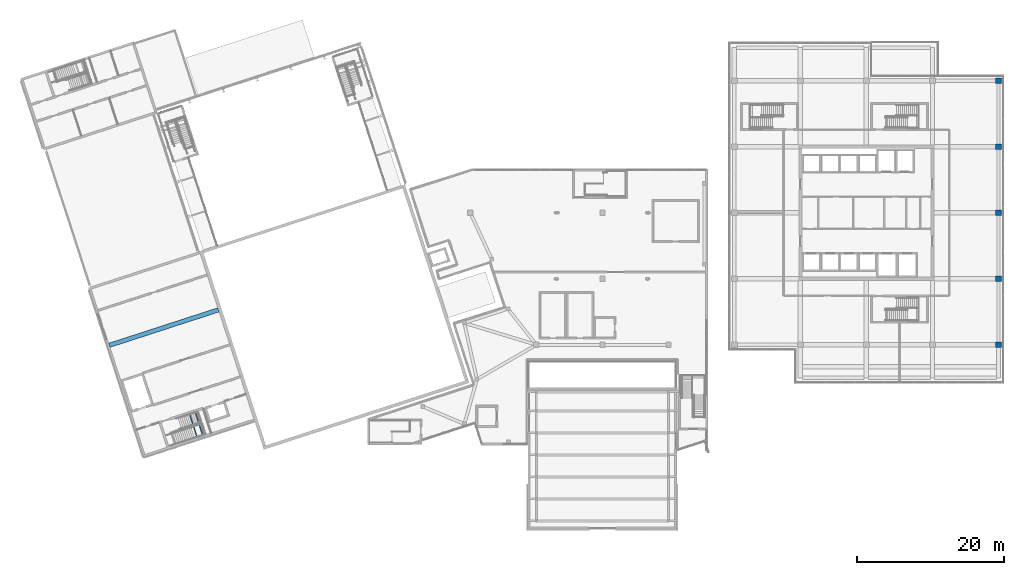
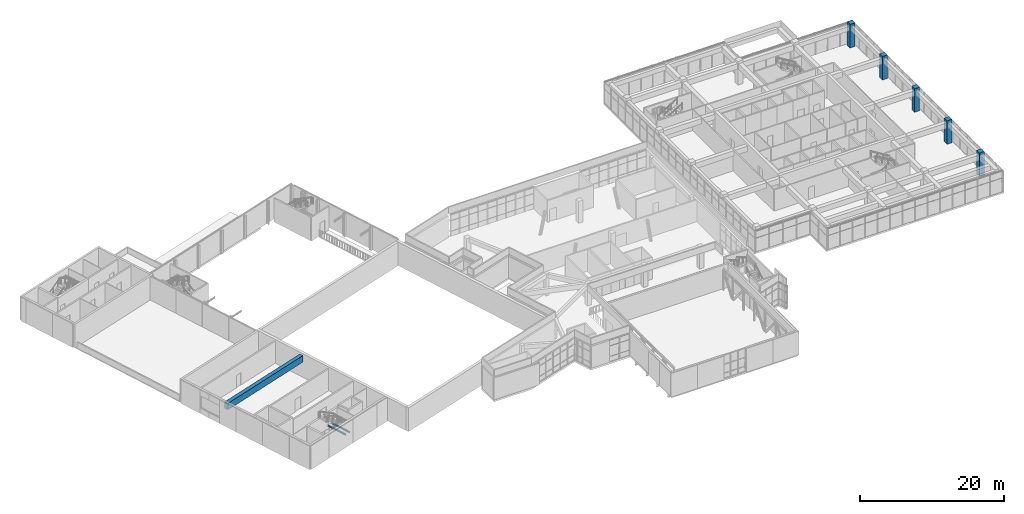
# One storey, part 5 of 72: 5 columns, 3 beams.
"""IFC4 building model written with IfcOpenShell, lengths in metres."""

from ifc_helpers import new_model, si_unit, direction, frame, origin, origin_2d, place, context, subcontext, project, spatial, rectangle, i_section, extrude, material, material_profile, profile_set, type_object, element, save


model = new_model("IFC4")

# Units and contexts
model_context = context("Model", 3, precision=1e-05, world=origin(), true_north=direction((0.0, 1.0)))
body_context = subcontext(model_context, "Body", "Model", "MODEL_VIEW")
ifc_project = project(units=[si_unit("LENGTHUNIT", "METRE"), si_unit("AREAUNIT", "SQUARE_METRE"), si_unit("VOLUMEUNIT", "CUBIC_METRE"), si_unit("PLANEANGLEUNIT", "RADIAN"), si_unit("MASSUNIT", "GRAM", prefix="KILO")], contexts=[model_context])

# Site, building, storey
site_placement = place(None, origin())
site = spatial("IfcSite", under=ifc_project, at=site_placement, CompositionType="ELEMENT")
building_placement = place(site_placement, origin())
building = spatial("IfcBuilding", under=site, at=building_placement, Name="Tuart Plaza Theatre", CompositionType="ELEMENT")
storey_placement = place(building_placement, frame((0.0, 0.0, 13.5)))
storey = spatial("IfcBuildingStorey", under=building, at=storey_placement, Name="L03", CompositionType="ELEMENT", Elevation=13.5)

# Columns
ifc_material_1 = material(Name="Concrete N50 (50 MPa)", Category="concrete")
ifc_material_profile_1 = material_profile(ifc_material_1, rectangle(XDim=0.800048828125, YDim=0.800048828125, at=origin_2d()), Name="COLUMN 800x800 Concrete N50 (50 MPa)")
ifc_profile_set_1 = profile_set([ifc_material_profile_1], Name="Concrete N50 (50 MPa)")
column_type = type_object("IfcColumnType", Name="COLUMN 800x800 Concrete N50 (50 MPa)", PredefinedType="COLUMN", material=ifc_profile_set_1)
for number, where, z_axis, x_axis, name in (
    (1, (150.0, 56.0, 0.0), (0.0, 0.0, 1.0), (1.0, 0.0, 0.0), "C61"),
    (2, (150.0, 65.0, 0.0), (0.0, 0.0, 1.0), (1.0, 0.0, 0.0), "C62"),
    (3, (150.0, 74.0, 0.0), (0.0, 0.0, 1.0), (1.0, 0.0, 0.0), "C63"),
    (4, (150.0, 83.0, 0.0), (0.0, 0.0, 1.0), (1.0, 0.0, 0.0), "C64"),
    (5, (150.0, 92.0, 0.0), (0.0, 0.0, 1.0), (1.0, 0.0, 0.0), "C65"),
):
    element("IfcColumn", number, at=place(storey_placement, frame(where, z_axis=z_axis, x_axis=x_axis)), inside=storey, type_object=column_type, Name=name, PredefinedType="COLUMN", context=body_context, shape_type="SweptSolid", body=[
        extrude(rectangle(XDim=0.800048828125, YDim=0.800048828125, at=origin_2d()), origin(), (0.0, 0.0, 1.0), 4.0),
    ])

# Beams
ifc_material_2 = material(Name="Steel Grade 300", Category="steel")
ifc_material_profile_2 = material_profile(ifc_material_2, i_section(OverallWidth=0.14599609375, OverallDepth=0.256103515625, WebThickness=0.00634765625, FlangeThickness=0.010986328125, FilletRadius=0.0087890625, at=origin_2d()), Name="250UB37.3")
ifc_profile_set_2 = profile_set([ifc_material_profile_2], Name="Steel Grade 300")
beam_type_1 = type_object("IfcBeamType", Name="BEAM 250UB37.3", PredefinedType="BEAM", material=ifc_profile_set_2)
for number, where, z_axis, x_axis, name in (
    (6, (40.498291015625, 46.851318359375, 1.672119140625), (0.309045481752, -0.951047259714, 0.0), (0.951047259714, 0.309045481752, 0.0), "SB11"),
    (7, (39.72314453125, 46.599365234375, 1.672119140625), (0.309045481752, -0.951047259714, 0.0), (0.951047259714, 0.309045481752, 0.0), "SB12"),
):
    element("IfcBeam", number, at=place(storey_placement, frame(where, z_axis=z_axis, x_axis=x_axis)), inside=storey, type_object=beam_type_1, Name=name, PredefinedType="BEAM", context=body_context, shape_type="SweptSolid", body=[
        extrude(i_section(OverallWidth=0.14599609375, OverallDepth=0.256103515625, WebThickness=0.00634765625, FlangeThickness=0.010986328125, FilletRadius=0.0087890625, at=origin_2d()), origin(), (0.0, 0.0, 1.0), 3.400146484375),
    ])
ifc_material_3 = material(Name="Concrete N40 (40 MPa)", Category="concrete")
ifc_material_profile_3 = material_profile(ifc_material_3, rectangle(XDim=0.60009765625, YDim=1.10009765625, at=origin_2d()), Name="BEAM 600x1100 Concrete N40 (40 MPa)")
ifc_profile_set_3 = profile_set([ifc_material_profile_3], Name="Concrete N40 (40 MPa)")
beam_type_2 = type_object("IfcBeamType", Name="BEAM 600x1100 Concrete N40 (40 MPa)", PredefinedType="BEAM", material=ifc_profile_set_3)
beam_placement = place(storey_placement, frame((28.80712890625, 55.93310546875, 3.14990234375), z_axis=(0.951057490127, 0.309013997211, 0.0), x_axis=(-0.309013997211, 0.951057490127, 0.0)))
element("IfcBeam", 8, at=beam_placement, inside=storey, type_object=beam_type_2, Name="RB1", PredefinedType="BEAM", context=body_context, shape_type="SweptSolid", body=[
    extrude(rectangle(XDim=0.60009765625, YDim=1.10009765625, at=origin_2d()), origin(), (0.0, 0.0, 1.0), 15.625),
])

save(model, "model.ifc")
